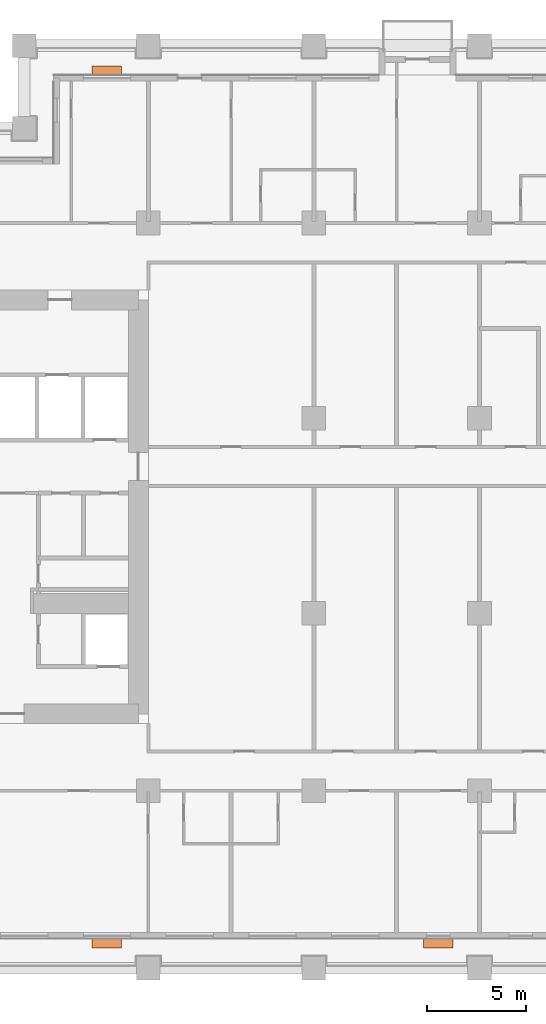
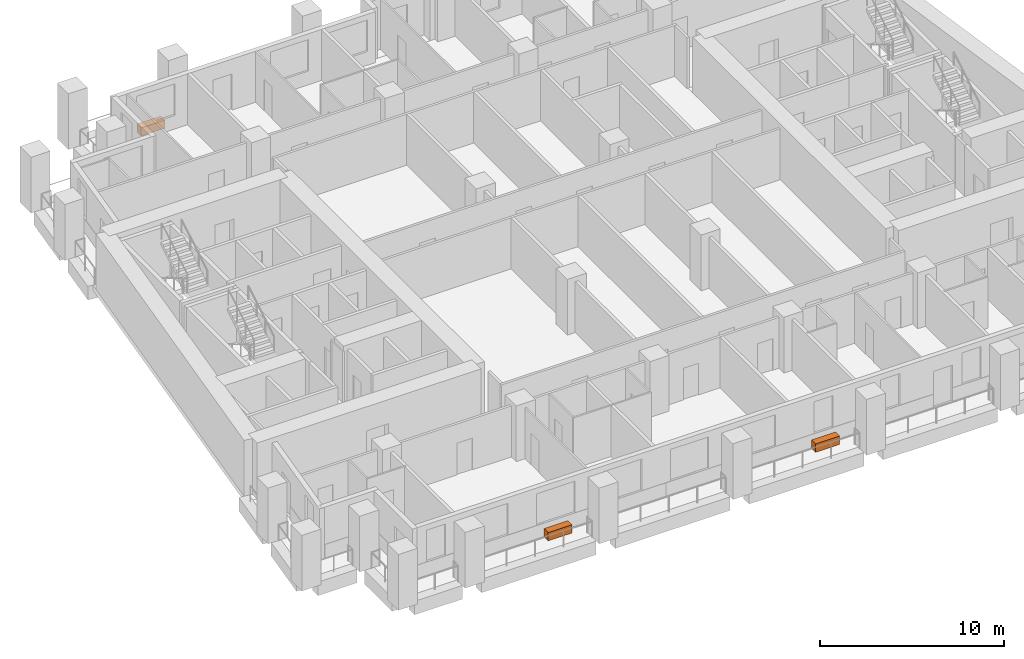
# One storey, part 13 of 13: 3 proxies.
"""IFC4 building model written with IfcOpenShell, lengths in metres."""

from ifc_helpers import new_model, si_unit, direction, frame, origin, origin_2d, place, context, subcontext, project, spatial, rectangle, extrude, element, save


model = new_model("IFC4")

# Units and contexts
model_context = context("Model", 3, precision=1e-05, world=origin(), true_north=direction((0.0, 1.0)))
body_context = subcontext(model_context, "Body", "Model", "MODEL_VIEW")
ifc_project = project(units=[si_unit("LENGTHUNIT", "METRE"), si_unit("AREAUNIT", "SQUARE_METRE"), si_unit("VOLUMEUNIT", "CUBIC_METRE"), si_unit("PLANEANGLEUNIT", "RADIAN"), si_unit("MASSUNIT", "GRAM", prefix="KILO")], contexts=[model_context])

# Site, building, storey
site_placement = place(None, origin())
site = spatial("IfcSite", under=ifc_project, at=site_placement, CompositionType="ELEMENT")
building_placement = place(site_placement, origin())
building = spatial("IfcBuilding", under=site, at=building_placement, Name="Candeia Pilgrim Tower and Theatre", CompositionType="ELEMENT")
storey_placement = place(building_placement, frame((0.0, 0.0, 109.5)))
storey = spatial("IfcBuildingStorey", under=building, at=storey_placement, Name="L25", CompositionType="ELEMENT", Elevation=109.5)

# Proxies
for number, where, z_axis, x_axis, name in (
    (1, (98.699951171875, 99.2548828125, 0.0), (0.0, 0.0, 1.0), (1.0, 0.0, 0.0), "Planter"),
    (2, (115.5, 99.2548828125, 0.0), (0.0, 0.0, 1.0), (1.0, 0.0, 0.0), "Planter"),
    (3, (98.699951171875, 143.544921875, 0.0), (0.0, 0.0, 1.0), (-1.0, 0.0, 0.0), "Planter"),
):
    element("IfcBuildingElementProxy", number, at=place(storey_placement, frame(where, z_axis=z_axis, x_axis=x_axis)), inside=storey, Name=name, ObjectType="PLANTER", PredefinedType="USERDEFINED", context=body_context, shape_type="SweptSolid", body=[
        extrude(rectangle(XDim=1.5, YDim=0.449951171875, at=origin_2d()), origin(), (0.0, 0.0, 1.0), 0.550048828125),
    ])

save(model, "model.ifc")
